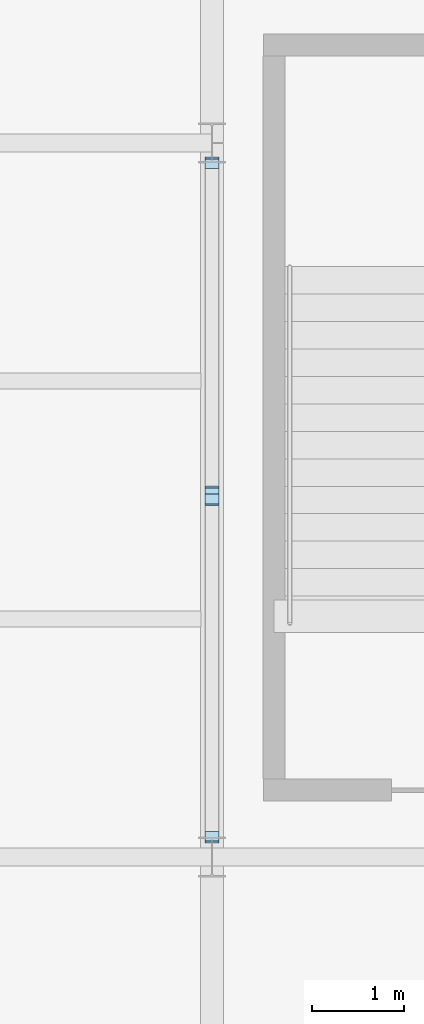
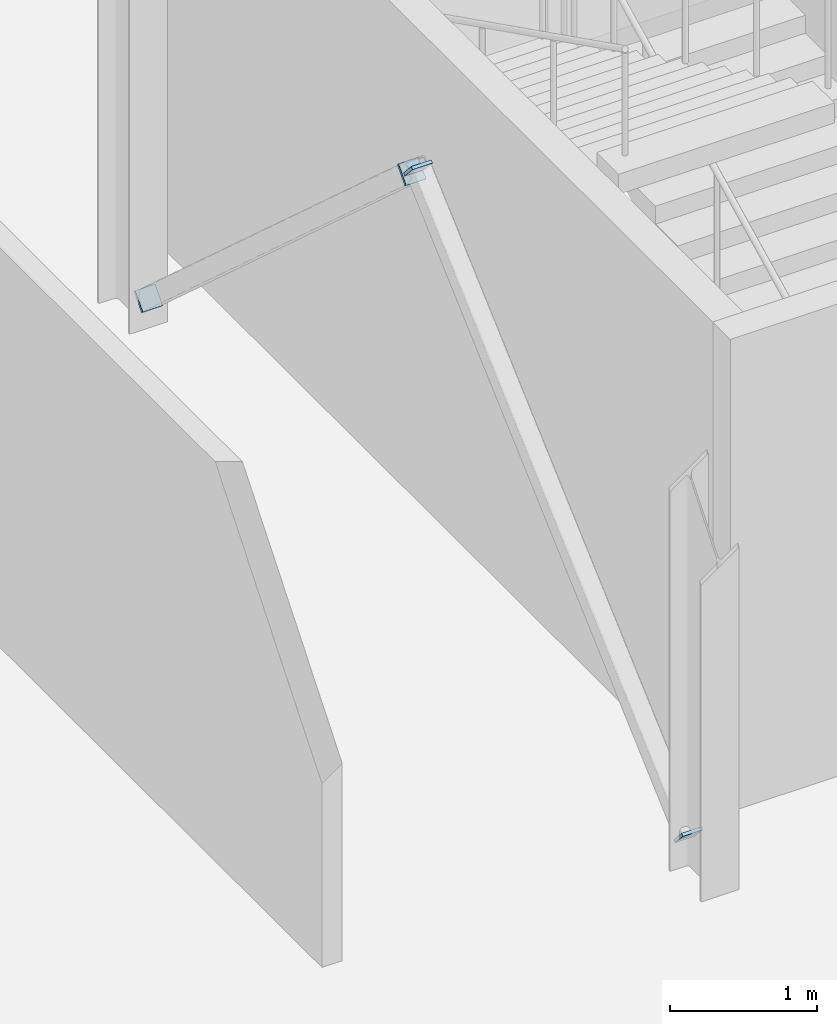
# One storey, part 33 of 45: 4 plates.
"""IFC4 building model written with IfcOpenShell, lengths in metres."""

from ifc_helpers import new_model, si_unit, direction, frame, origin, origin_2d, place, context, subcontext, project, spatial, rectangle, extrude, material, layer, layer_set, type_object, element, save


model = new_model("IFC4")

# Units and contexts
model_context = context("Model", 3, precision=1e-05, world=origin(), true_north=direction((0.0, 1.0)))
body_context = subcontext(model_context, "Body", "Model", "MODEL_VIEW")
ifc_project = project(units=[si_unit("LENGTHUNIT", "METRE"), si_unit("AREAUNIT", "SQUARE_METRE"), si_unit("VOLUMEUNIT", "CUBIC_METRE"), si_unit("PLANEANGLEUNIT", "RADIAN"), si_unit("MASSUNIT", "GRAM", prefix="KILO")], contexts=[model_context])

# Site, building, storey
site_placement = place(None, origin())
site = spatial("IfcSite", under=ifc_project, at=site_placement, CompositionType="ELEMENT")
building_placement = place(site_placement, origin())
building = spatial("IfcBuilding", under=site, at=building_placement, Name="Yukiwa Park Conservatory and Herbarium", CompositionType="ELEMENT")
storey_placement = place(building_placement, frame((0.0, 0.0, 9.0)))
storey = spatial("IfcBuildingStorey", under=building, at=storey_placement, Name="L02", CompositionType="ELEMENT", Elevation=9.0)

# Plates
ifc_material = material(Name="Steel Q355D", Category="steel")
ifc_layer = layer(ifc_material, 0.02392578125)
ifc_layer_set = layer_set([ifc_layer], Name="Steel Q355D")
plate_type = type_object("IfcPlateType", Name="PL-CAP-24-INT", PredefinedType="USERDEFINED", material=ifc_layer_set)
for number, where, z_axis, x_axis, name in (
    (1, (76.0, 54.824462890625, 0.251708984375), (0.0, -0.741776460949, -0.670647211269), (1.0, 0.0, 0.0), "Hollow section end cap plate CAP-BR-L02-023A"),
    (2, (76.0, 58.494140625, 3.5546875), (0.0, 0.741776460949, 0.670647211269), (-1.0, 0.0, 0.0), "Hollow section end cap plate CAP-BR-L02-023B"),
    (3, (76.0, 62.175537109375, 0.251708984375), (0.0, 0.741776460949, -0.670647211269), (-1.0, 0.0, 0.0), "Hollow section end cap plate CAP-BR-L02-024A"),
    (4, (76.0, 58.598876953125, 3.47119140625), (0.0, -0.746844593871, 0.664998610981), (1.0, 0.0, 0.0), "Hollow section end cap plate CAP-BR-L02-024B"),
):
    element("IfcPlate", number, at=place(storey_placement, frame(where, z_axis=z_axis, x_axis=x_axis)), inside=storey, type_object=plate_type, Name=name, ObjectType="END CAP PLATE", PredefinedType="USERDEFINED", context=body_context, shape_type="SweptSolid", body=[
        extrude(rectangle(XDim=0.157958984375, YDim=0.157958984375, at=origin_2d()), origin(), (0.0, 0.0, 1.0), 0.02392578125),
    ])

save(model, "model.ifc")
